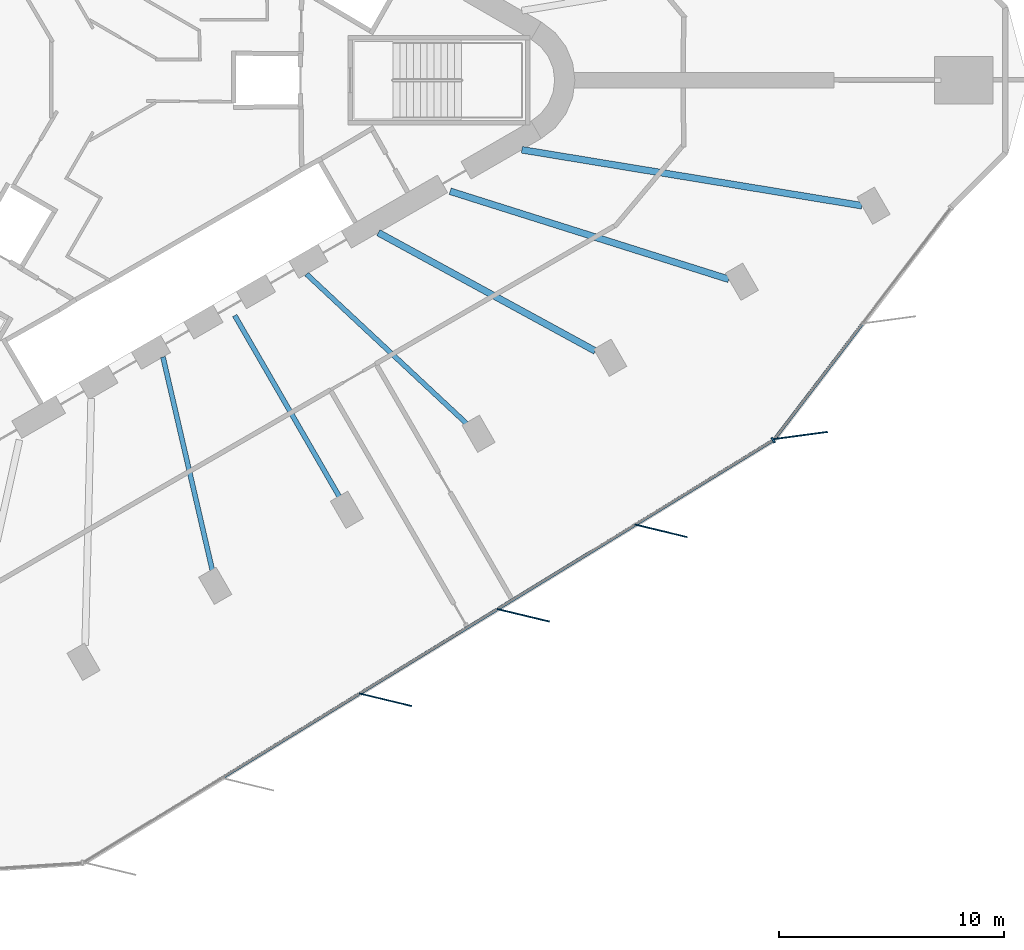
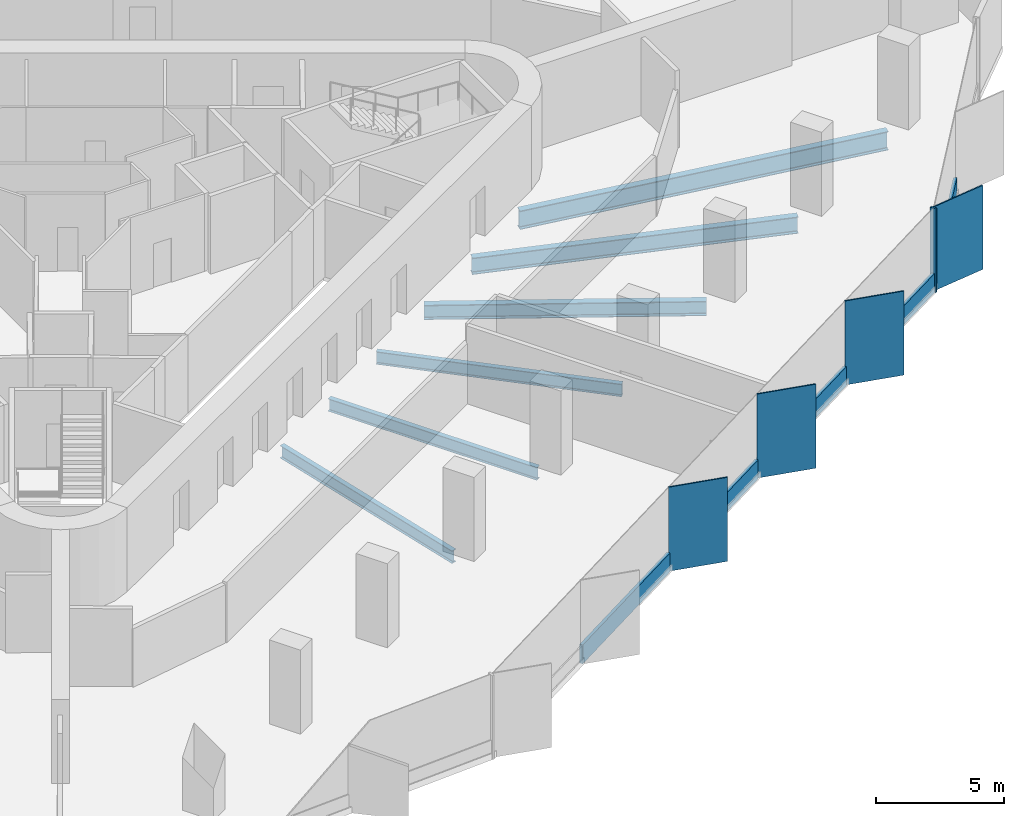
# One storey, part 3 of 14: 10 members, 6 beams, 2 elements without a shape of their own.
"""IFC4 building model written with IfcOpenShell, lengths in metres."""

from ifc_helpers import new_model, si_unit, direction, frame, origin, origin_2d, place, context, subcontext, project, spatial, rectangle, i_section, extrude, material, material_profile, profile_set, type_object, element, aggregate, save


model = new_model("IFC4")

# Units and contexts
model_context = context("Model", 3, precision=1e-05, world=origin(), true_north=direction((0.0, 1.0)))
body_context = subcontext(model_context, "Body", "Model", "MODEL_VIEW")
ifc_project = project(units=[si_unit("LENGTHUNIT", "METRE"), si_unit("AREAUNIT", "SQUARE_METRE"), si_unit("VOLUMEUNIT", "CUBIC_METRE"), si_unit("PLANEANGLEUNIT", "RADIAN"), si_unit("MASSUNIT", "GRAM", prefix="KILO")], contexts=[model_context])

# Site, building, storey
site_placement = place(None, origin())
site = spatial("IfcSite", under=ifc_project, at=site_placement, CompositionType="ELEMENT")
building_placement = place(site_placement, origin())
building = spatial("IfcBuilding", under=site, at=building_placement, Name="Tanit Gate Tower", CompositionType="ELEMENT")
storey_placement = place(building_placement, frame((0.0, 0.0, 217.199951171875)))
storey = spatial("IfcBuildingStorey", under=building, at=storey_placement, Name="L48", CompositionType="ELEMENT", Elevation=217.199951171875)

# Curtain wall, members
ifc_material_1 = material(Name="Aluminium bronze anodised and glass", Category="aluminium")
curtain_wall_type = type_object("IfcCurtainWallType", Name="Curtain wall typical mid", PredefinedType="NOTDEFINED", material=ifc_material_1)
curtain_wall_1_placement = place(storey_placement, origin())
curtain_wall_1 = element("IfcCurtainWall", 1, at=curtain_wall_1_placement, inside=storey, type_object=curtain_wall_type, Name="Curtain wall L48 SE2", PredefinedType="NOTDEFINED")
ifc_material_2 = material(Name="Aluminium bronze anodised", Category="aluminium")
ifc_material_profile_1 = material_profile(ifc_material_2, rectangle(XDim=2.39990234375, YDim=0.055908203125, at=origin_2d()), Name="56x2400 bronze fin mullion")
ifc_profile_set_1 = profile_set([ifc_material_profile_1], Name="Aluminium bronze anodised")
member_type_1 = type_object("IfcMemberType", Name="FIN MULLION 56x2400 bronze", PredefinedType="MULLION", material=ifc_profile_set_1)
member_1_placement = place(storey_placement, frame((12.76123046875, -27.589111328125, -0.300048828125), z_axis=(0.0, 0.0, 1.0), x_axis=(-0.97234319207, 0.23355666729, 0.0)))
member_1 = element("IfcMember", 2, at=member_1_placement, type_object=member_type_1, Name="Fin mullion L48 SE2.3", PredefinedType="MULLION", context=body_context, shape_type="SweptSolid", body=[
    extrude(rectangle(XDim=2.39990234375, YDim=0.055908203125, at=origin_2d()), origin(), (0.0, 0.0, 1.0), 4.0),
])
member_2_placement = place(storey_placement, frame((18.900146484375, -23.827880859375, -0.300048828125), z_axis=(0.0, 0.0, 1.0), x_axis=(-0.97234319207, 0.23355666729, 0.0)))
member_2 = element("IfcMember", 3, at=member_2_placement, type_object=member_type_1, Name="Fin mullion L48 SE2.4", PredefinedType="MULLION", context=body_context, shape_type="SweptSolid", body=[
    extrude(rectangle(XDim=2.39990234375, YDim=0.055908203125, at=origin_2d()), origin(), (0.0, 0.0, 1.0), 4.0),
])
member_3_placement = place(storey_placement, frame((25.039306640625, -20.06689453125, -0.300048828125), z_axis=(0.0, 0.0, 1.0), x_axis=(-0.97234319207, 0.23355666729, 0.0)))
member_3 = element("IfcMember", 4, at=member_3_placement, type_object=member_type_1, Name="Fin mullion L48 SE2.5", PredefinedType="MULLION", context=body_context, shape_type="SweptSolid", body=[
    extrude(rectangle(XDim=2.39990234375, YDim=0.055908203125, at=origin_2d()), origin(), (0.0, 0.0, 1.0), 4.0),
])

# Curtain wall, member
curtain_wall_2_placement = place(storey_placement, origin())
curtain_wall_2 = element("IfcCurtainWall", 5, at=curtain_wall_2_placement, inside=storey, type_object=curtain_wall_type, Name="Curtain wall L48 SE3", PredefinedType="NOTDEFINED")
member_4_placement = place(storey_placement, frame((31.2587890625, -15.8203125, -0.300048828125), z_axis=(0.0, 0.0, 1.0), x_axis=(-0.991049134388, -0.133497615066, 0.0)))
member_4 = element("IfcMember", 6, at=member_4_placement, type_object=member_type_1, Name="Fin mullion L48 SE3.1", PredefinedType="MULLION", context=body_context, shape_type="SweptSolid", body=[
    extrude(rectangle(XDim=2.39990234375, YDim=0.055908203125, at=origin_2d()), origin(), (0.0, 0.0, 1.0), 4.0),
])

# Member
ifc_material_3 = material(Name="Aluminium bronze anodised", Category="aluminium")
ifc_material_profile_2 = material_profile(ifc_material_3, rectangle(XDim=0.260009765625, YDim=0.080078125, at=origin_2d()), Name="80x260 bronze mullion")
ifc_profile_set_2 = profile_set([ifc_material_profile_2], Name="Aluminium bronze anodised")
member_type_2 = type_object("IfcMemberType", Name="Mullion 80x260 typical mid", PredefinedType="MULLION", material=ifc_profile_set_2)
member_5_placement = place(storey_placement, frame((30.0322265625, -16.030517578125, -0.300048828125), z_axis=(0.0, 0.0, 1.0), x_axis=(-0.522400961521, 0.852699967985, 0.0)))
member_5 = element("IfcMember", 7, at=member_5_placement, type_object=member_type_2, Name="Mullion L48 SE2.6", PredefinedType="MULLION", context=body_context, shape_type="SweptSolid", body=[
    extrude(rectangle(XDim=0.260009765625, YDim=0.080078125, at=origin_2d()), origin(), (0.0, 0.0, 1.0), 4.0),
])

# Beams
ifc_material_4 = material(Name="Steel S355", Category="steel")
ifc_material_profile_3 = material_profile(ifc_material_4, i_section(OverallWidth=0.300048828125, OverallDepth=0.68994140625, WebThickness=0.014404296875, FlangeThickness=0.027099609375, FilletRadius=0.027099609375, at=origin_2d()), Name="HEA 700")
ifc_profile_set_3 = profile_set([ifc_material_profile_3], Name="Steel S355")
beam_type_1 = type_object("IfcBeamType", Name="RADIAL GIRDER HEA 700 S355", PredefinedType="BEAM", material=ifc_profile_set_3)
beam_1_placement = place(storey_placement, frame((22.1064453125, -12.059326171875, -0.64501953125), z_axis=(-0.877879464436, 0.478881661709, 0.0), x_axis=(-0.478881661709, -0.877879464436, 0.0)))
element("IfcBeam", 8, at=beam_1_placement, inside=storey, type_object=beam_type_1, Name="RADIAL GIRDER", PredefinedType="BEAM", context=body_context, shape_type="SweptSolid", body=[
    extrude(i_section(OverallWidth=0.300048828125, OverallDepth=0.68994140625, WebThickness=0.014404296875, FlangeThickness=0.027099609375, FilletRadius=0.027099609375, at=origin_2d()), origin(), (0.0, 0.0, 1.0), 11.00537109375),
])
ifc_material_5 = material(Name="Steel S355", Category="steel")
ifc_material_profile_4 = material_profile(ifc_material_5, i_section(OverallWidth=0.300048828125, OverallDepth=0.7900390625, WebThickness=0.014892578125, FlangeThickness=0.028076171875, FilletRadius=0.030029296875, at=origin_2d()), Name="HEA 800")
ifc_profile_set_4 = profile_set([ifc_material_profile_4], Name="Steel S355")
beam_type_2 = type_object("IfcBeamType", Name="RADIAL GIRDER HEA 800 S355", PredefinedType="BEAM", material=ifc_profile_set_4)
beam_2_placement = place(storey_placement, frame((28.054443359375, -8.86572265625, -0.695068359375), z_axis=(-0.953523689029, 0.301318061957, 0.0), x_axis=(-0.301318061957, -0.953523689029, 0.0)))
element("IfcBeam", 9, at=beam_2_placement, inside=storey, type_object=beam_type_2, Name="RADIAL GIRDER", PredefinedType="BEAM", context=body_context, shape_type="SweptSolid", body=[
    extrude(i_section(OverallWidth=0.300048828125, OverallDepth=0.7900390625, WebThickness=0.014892578125, FlangeThickness=0.028076171875, FilletRadius=0.030029296875, at=origin_2d()), origin(), (0.0, 0.0, 1.0), 13.017333984375),
])
ifc_material_6 = material(Name="Steel S355", Category="steel")
ifc_material_profile_5 = material_profile(ifc_material_6, i_section(OverallWidth=0.300048828125, OverallDepth=0.889892578125, WebThickness=0.01611328125, FlangeThickness=0.030029296875, FilletRadius=0.030029296875, at=origin_2d()), Name="HEA 900")
ifc_profile_set_5 = profile_set([ifc_material_profile_5], Name="Steel S355")
beam_type_3 = type_object("IfcBeamType", Name="RADIAL GIRDER HEA 900 S355", PredefinedType="BEAM", material=ifc_profile_set_5)
beam_3_placement = place(storey_placement, frame((33.979736328125, -5.5869140625, -0.744873046875), z_axis=(-0.986750224089, 0.162246711091, 0.0), x_axis=(-0.162246711091, -0.986750224089, 0.0)))
element("IfcBeam", 10, at=beam_3_placement, inside=storey, type_object=beam_type_3, Name="RADIAL GIRDER", PredefinedType="BEAM", context=body_context, shape_type="SweptSolid", body=[
    extrude(i_section(OverallWidth=0.300048828125, OverallDepth=0.889892578125, WebThickness=0.01611328125, FlangeThickness=0.030029296875, FilletRadius=0.030029296875, at=origin_2d()), origin(), (0.0, 0.0, 1.0), 15.343994140625),
])
ifc_material_7 = material(Name="Steel S355", Category="steel")
ifc_material_profile_6 = material_profile(ifc_material_7, i_section(OverallWidth=0.219970703125, OverallDepth=0.60009765625, WebThickness=0.011962890625, FlangeThickness=0.01904296875, FilletRadius=0.02392578125, at=origin_2d()), Name="IPE 600")
ifc_profile_set_6 = profile_set([ifc_material_profile_6], Name="Steel S355")
beam_type_4 = type_object("IfcBeamType", Name="RADIAL GIRDER IPE 600 S355", PredefinedType="BEAM", material=ifc_profile_set_6)
beam_4_placement = place(storey_placement, frame((5.069580078125, -21.8955078125, -0.599853515625), z_axis=(-0.225567421981, 0.974227559732, 0.0), x_axis=(-0.974227559732, -0.225567421981, 0.0)))
element("IfcBeam", 11, at=beam_4_placement, inside=storey, type_object=beam_type_4, Name="RADIAL GIRDER", PredefinedType="BEAM", context=body_context, shape_type="SweptSolid", body=[
    extrude(i_section(OverallWidth=0.219970703125, OverallDepth=0.60009765625, WebThickness=0.011962890625, FlangeThickness=0.01904296875, FilletRadius=0.02392578125, at=origin_2d()), origin(), (0.0, 0.0, 1.0), 9.822265625),
])
beam_5_placement = place(storey_placement, frame((10.74853515625, -18.616943359375, -0.599853515625), z_axis=(-0.500004383815, 0.866022872773, 0.0), x_axis=(-0.866022872773, -0.500004383815, 0.0)))
element("IfcBeam", 12, at=beam_5_placement, inside=storey, type_object=beam_type_4, Name="RADIAL GIRDER", PredefinedType="BEAM", context=body_context, shape_type="SweptSolid", body=[
    extrude(i_section(OverallWidth=0.219970703125, OverallDepth=0.60009765625, WebThickness=0.011962890625, FlangeThickness=0.01904296875, FilletRadius=0.02392578125, at=origin_2d()), origin(), (0.0, 0.0, 1.0), 9.39501953125),
])
beam_6_placement = place(storey_placement, frame((16.427490234375, -15.338134765625, -0.599853515625), z_axis=(-0.730925486912, 0.68245727528, 0.0), x_axis=(-0.68245727528, -0.730925486912, 0.0)))
element("IfcBeam", 13, at=beam_6_placement, inside=storey, type_object=beam_type_4, Name="RADIAL GIRDER", PredefinedType="BEAM", context=body_context, shape_type="SweptSolid", body=[
    extrude(i_section(OverallWidth=0.219970703125, OverallDepth=0.60009765625, WebThickness=0.011962890625, FlangeThickness=0.01904296875, FilletRadius=0.02392578125, at=origin_2d()), origin(), (0.0, 0.0, 1.0), 9.822509765625),
])

# Member
ifc_material_8 = material(Name="Aluminium bronze anodised", Category="aluminium")
ifc_material_profile_7 = material_profile(ifc_material_8, rectangle(XDim=0.139892578125, YDim=0.89990234375, at=origin_2d()), Name="140x900 bronze transom")
ifc_profile_set_7 = profile_set([ifc_material_profile_7], Name="Aluminium bronze anodised")
member_type_3 = type_object("IfcMemberType", Name="Transom 140x900 typical mid", PredefinedType="USERDEFINED", material=ifc_profile_set_7)
member_6_placement = place(storey_placement, frame((5.510009765625, -31.053955078125, 0.150146484375), z_axis=(0.852699806703, 0.522401224777, 0.0), x_axis=(-0.522401224777, 0.852699806703, 0.0)))
member_6 = element("IfcMember", 14, at=member_6_placement, type_object=member_type_3, Name="Transom L48 SE2.2", ObjectType="TRANSOM", PredefinedType="USERDEFINED", context=body_context, shape_type="SweptSolid", body=[
    extrude(rectangle(XDim=0.139892578125, YDim=0.89990234375, at=origin_2d()), origin(), (0.0, 0.0, 1.0), 7.119384765625),
])

member_7_placement = place(storey_placement, frame((11.649169921875, -27.292724609375, 0.150146484375), z_axis=(0.852699806703, 0.522401224777, 0.0), x_axis=(-0.522401224777, 0.852699806703, 0.0)))
member_7 = element("IfcMember", 15, at=member_7_placement, type_object=member_type_3, Name="Transom L48 SE2.3", ObjectType="TRANSOM", PredefinedType="USERDEFINED", context=body_context, shape_type="SweptSolid", body=[
    extrude(rectangle(XDim=0.139892578125, YDim=0.89990234375, at=origin_2d()), origin(), (0.0, 0.0, 1.0), 7.119384765625),
])

member_8_placement = place(storey_placement, frame((17.7880859375, -23.53173828125, 0.150146484375), z_axis=(0.852709164628, 0.522385949811, 0.0), x_axis=(-0.522385949811, 0.852709164628, 0.0)))
member_8 = element("IfcMember", 16, at=member_8_placement, type_object=member_type_3, Name="Transom L48 SE2.4", ObjectType="TRANSOM", PredefinedType="USERDEFINED", context=body_context, shape_type="SweptSolid", body=[
    extrude(rectangle(XDim=0.139892578125, YDim=0.89990234375, at=origin_2d()), origin(), (0.0, 0.0, 1.0), 7.11962890625),
])

member_9_placement = place(storey_placement, frame((23.92724609375, -19.770751953125, 0.150146484375), z_axis=(0.852684531283, 0.522426157568, 0.0), x_axis=(-0.522426157568, 0.852684531283, 0.0)))
member_9 = element("IfcMember", 17, at=member_9_placement, type_object=member_type_3, Name="Transom L48 SE2.5", ObjectType="TRANSOM", PredefinedType="USERDEFINED", context=body_context, shape_type="SweptSolid", body=[
    extrude(rectangle(XDim=0.139892578125, YDim=0.89990234375, at=origin_2d()), origin(), (0.0, 0.0, 1.0), 7.11962890625),
])

aggregate(curtain_wall_1, [member_1, member_2, member_3, member_5, member_6, member_7, member_8, member_9])

member_10_placement = place(storey_placement, frame((30.11474609375, -15.946044921875, 0.150146484375), z_axis=(0.606392735352, 0.795165297603, 0.0), x_axis=(-0.795165297603, 0.606392735352, 0.0)))
member_10 = element("IfcMember", 18, at=member_10_placement, type_object=member_type_3, Name="Transom L48 SE3.1", ObjectType="TRANSOM", PredefinedType="USERDEFINED", context=body_context, shape_type="SweptSolid", body=[
    extrude(rectangle(XDim=0.139892578125, YDim=0.89990234375, at=origin_2d()), origin(), (0.0, 0.0, 1.0), 6.396728515625),
])

aggregate(curtain_wall_2, [member_4, member_10])

save(model, "model.ifc")
